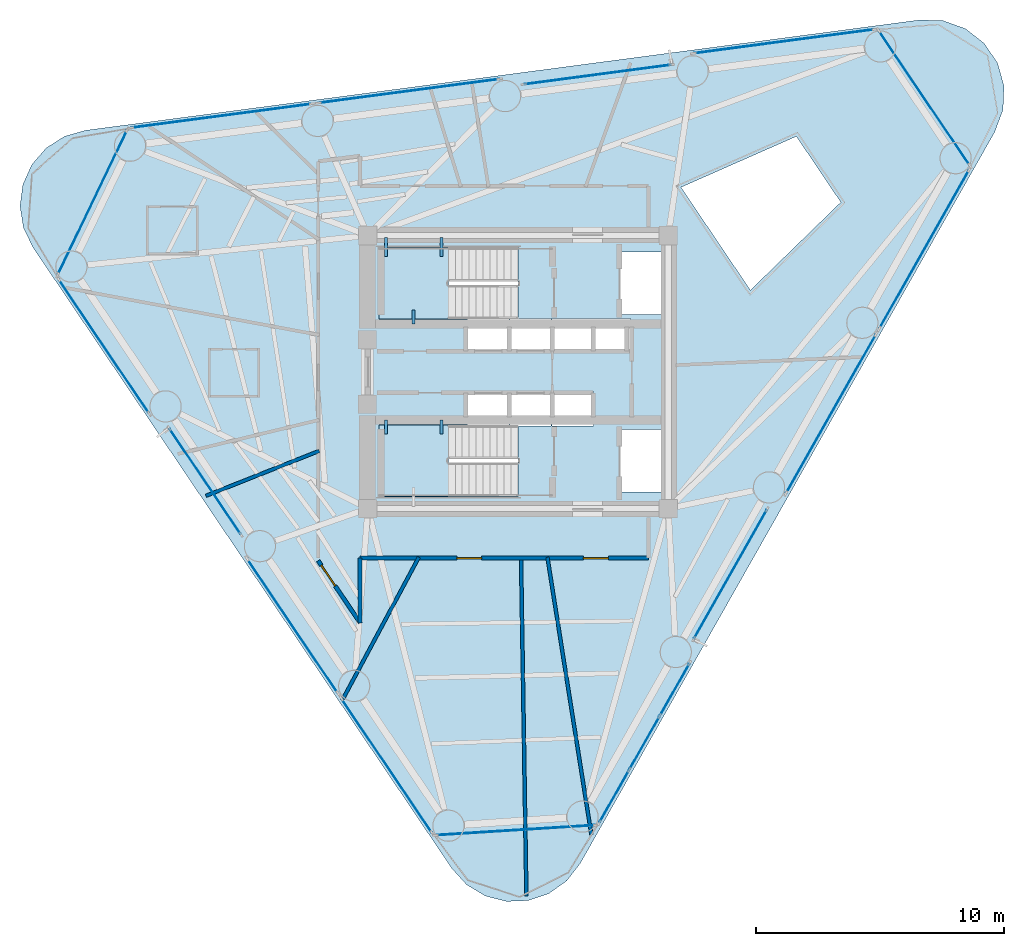
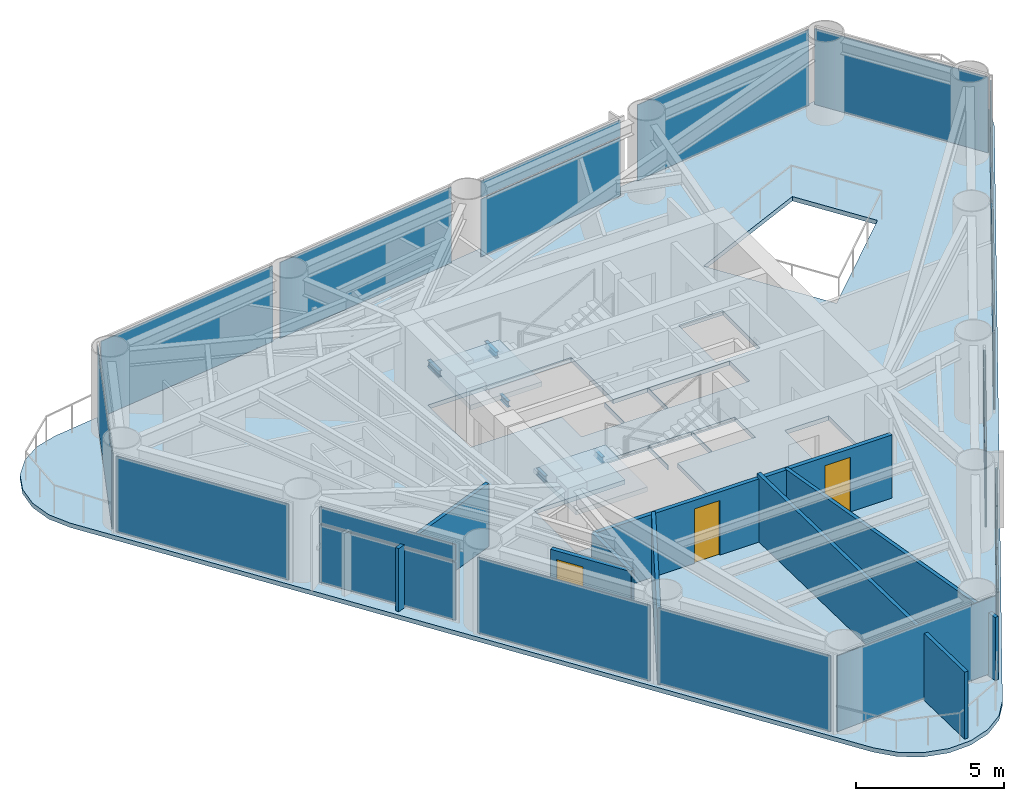
# One storey, part 4 of 9: 23 plates, 7 walls, 5 beams, 3 doors, 3 slabs, 3 openings, 17 elements without a shape of their own.
"""IFC4 building model written with IfcOpenShell, lengths in metres."""

from ifc_helpers import new_model, si_unit, direction, frame, frame_2d, origin, origin_2d, place, context, subcontext, project, spatial, polyline, rectangle, i_section, outline, extrude, source, transform, mapped, material, layer, layer_set, material_profile, profile_set, type_object, element, fill, aggregate, save


model = new_model("IFC4")

# Units and contexts
model_context = context("Model", 3, precision=1e-05, world=origin(), true_north=direction((0.0, 1.0)))
body_context = subcontext(model_context, "Body", "Model", "MODEL_VIEW")
ifc_project = project(units=[si_unit("LENGTHUNIT", "METRE"), si_unit("AREAUNIT", "SQUARE_METRE"), si_unit("VOLUMEUNIT", "CUBIC_METRE"), si_unit("PLANEANGLEUNIT", "RADIAN"), si_unit("MASSUNIT", "GRAM", prefix="KILO")], contexts=[model_context])

# Site, building, storey
site_placement = place(None, origin())
site = spatial("IfcSite", under=ifc_project, at=site_placement, CompositionType="ELEMENT")
building_placement = place(site_placement, origin())
building = spatial("IfcBuilding", under=site, at=building_placement, Name="Yunling Apex Tower", CompositionType="ELEMENT")
storey_placement = place(building_placement, frame((0.0, 0.0, 162.199951171875)))
storey = spatial("IfcBuildingStorey", under=building, at=storey_placement, Name="L39", CompositionType="ELEMENT", Elevation=162.199951171875)

# Beams
ifc_material_1 = material(Name="Steel Q355B", Category="steel")
ifc_material_profile = material_profile(ifc_material_1, i_section(OverallWidth=0.125, OverallDepth=0.25, WebThickness=0.006103515625, FlangeThickness=0.009033203125, FilletRadius=0.011962890625, at=origin_2d()))
ifc_profile_set = profile_set([ifc_material_profile], Name="Steel Q355B")
beam_type = type_object("IfcBeamType", Name="BL-LNT-1", PredefinedType="LINTEL", material=ifc_profile_set)
shared_shape_1 = source(origin(), body_context, "Body", "SweptSolid", [
    extrude(i_section(OverallWidth=0.125, OverallDepth=0.25, WebThickness=0.006103515625, FlangeThickness=0.009033203125, FilletRadius=0.011962890625, at=origin_2d()), origin(), (0.0, 0.0, 1.0), 0.760009765625),
])
for number, where, z_axis, x_axis, name in (
    (1, (-5.320068359375, 5.419921875, 1.405029296875), (0.0, -1.0, 0.0), (1.0, 0.0, 0.0), "L39 ST-1 Landing Bearing Corbel 1-1"),
    (2, (-3.090087890625, 5.419921875, 1.405029296875), (0.0, -1.0, 0.0), (1.0, 0.0, 0.0), "L39 ST-1 Landing Bearing Corbel 1-2"),
):
    element("IfcBeam", number, at=place(storey_placement, frame(where, z_axis=z_axis, x_axis=x_axis)), inside=storey, type_object=beam_type, Name=name, PredefinedType="LINTEL", context=body_context, shape_type="MappedRepresentation", body=[
        mapped(shared_shape_1, transform((0.0, 0.0, 0.0), scale=1.0)),
    ])
shared_shape_2 = source(origin(), body_context, "Body", "SweptSolid", [
    extrude(i_section(OverallWidth=0.125, OverallDepth=0.25, WebThickness=0.006103515625, FlangeThickness=0.009033203125, FilletRadius=0.011962890625, at=origin_2d()), origin(), (0.0, 0.0, 1.0), 0.550048828125),
])
for number, where, z_axis, x_axis, name in (
    (3, (-4.205078125, 1.93994140625, 1.405029296875), (0.0, 1.0, 0.0), (-1.0, 0.0, 0.0), "L39 ST-1 Landing Bearing Corbel 1-3"),
    (4, (-5.320068359375, -1.93994140625, 1.405029296875), (0.0, -1.0, 0.0), (1.0, 0.0, 0.0), "L39 ST-2 Landing Bearing Corbel 1-1"),
    (5, (-3.090087890625, -1.93994140625, 1.405029296875), (0.0, -1.0, 0.0), (1.0, 0.0, 0.0), "L39 ST-2 Landing Bearing Corbel 1-2"),
):
    element("IfcBeam", number, at=place(storey_placement, frame(where, z_axis=z_axis, x_axis=x_axis)), inside=storey, type_object=beam_type, Name=name, PredefinedType="LINTEL", context=body_context, shape_type="MappedRepresentation", body=[
        mapped(shared_shape_2, transform((0.0, 0.0, 0.0), scale=1.0)),
    ])

# Slab
ifc_material_2 = material(Name="Concrete C40", Category="concrete")
ifc_layer_1 = layer(ifc_material_2, 0.1650390625)
ifc_layer_set_1 = layer_set([ifc_layer_1], Name="Concrete C40")
slab_type_1 = type_object("IfcSlabType", Name="SL-FLR-2", PredefinedType="FLOOR", material=ifc_layer_set_1)
slab_1_placement = place(storey_placement, frame((0.0, 0.0, -0.179931640625)))
element("IfcSlab", 6, at=slab_1_placement, inside=storey, type_object=slab_type_1, Name="L39 Composite Tower Floor Slab", PredefinedType="FLOOR", context=body_context, shape_type="SweptSolid", body=[
    extrude(outline(polyline([(-2.665771484375, -20.00146484375), (-2.073486328125, -20.65185546875), (-1.31982421875, -21.10546875), (-0.468017578125, -21.32421875), (0.410888671875, -21.2900390625), (1.243408203125, -21.005615234375), (1.95947265625, -20.494873046875), (2.499267578125, -19.80029296875), (19.197998046875, 9.66650390625), (19.533203125, 10.565185546875), (19.572021484375, 11.5234375), (19.31005859375, 12.4462890625), (18.773681640625, 13.241455078125), (18.01611328125, 13.830078125), (17.113037109375, 14.1533203125), (16.154296875, 14.178955078125), (-17.422119140625, 9.734619140625), (-18.268310546875, 9.494384765625), (-19.01025390625, 9.021728515625), (-19.585693359375, 8.3564453125), (-19.947021484375, 7.554443359375), (-20.06298828125, 6.682373046875), (-19.9248046875, 5.813720703125), (-19.543701171875, 5.02099609375), (-2.665771484375, -20.00146484375)]), holes=[polyline([(11.209228515625, 9.49072265625), (12.998779296875, 6.837890625), (9.356689453125, 3.295654296875), (6.560791015625, 7.44091796875), (11.209228515625, 9.49072265625)]), polyline([(4.090087890625, -2.320068359375), (5.81005859375, -2.320068359375), (5.81005859375, -4.840087890625), (4.090087890625, -4.840087890625), (4.090087890625, -2.320068359375)]), polyline([(5.81005859375, 4.840087890625), (5.81005859375, 2.320068359375), (4.090087890625, 2.320068359375), (4.090087890625, 4.840087890625), (5.81005859375, 4.840087890625)]), polyline([(1.364990234375, 2.1650390625), (4.534912109375, 2.1650390625), (4.534912109375, 0.794921875), (1.364990234375, 0.794921875), (1.364990234375, 2.1650390625)]), polyline([(3.034912109375, -0.794921875), (3.034912109375, -2.1650390625), (1.364990234375, -2.1650390625), (1.364990234375, -0.794921875), (3.034912109375, -0.794921875)]), polyline([(-2.034912109375, -0.794921875), (-0.364990234375, -0.794921875), (-0.364990234375, -2.139892578125), (-0.3349609375, -2.139892578125), (-0.3349609375, -0.794921875), (1.3349609375, -0.794921875), (1.3349609375, -2.1650390625), (-0.010009765625, -2.1650390625), (-0.010009765625, -5.010009765625), (-5.60009765625, -5.010009765625), (-5.60009765625, -2.139892578125), (-2.034912109375, -2.139892578125), (-2.034912109375, -0.794921875)]), polyline([(-5.60009765625, 2.139892578125), (-5.60009765625, 5.010009765625), (-0.010009765625, 5.010009765625), (-0.010009765625, 2.1650390625), (1.3349609375, 2.1650390625), (1.3349609375, 0.794921875), (-0.3349609375, 0.794921875), (-0.3349609375, 2.139892578125), (-0.364990234375, 2.139892578125), (-0.364990234375, 0.794921875), (-2.034912109375, 0.794921875), (-2.034912109375, 2.139892578125), (-5.60009765625, 2.139892578125)])]), origin(), (0.0, 0.0, 1.0), 0.179931640625),
])

# Stair, slab
stair_type = type_object("IfcStairType", Name="ST-TWR-2", PredefinedType="HALF_TURN_STAIR", material=ifc_material_2)
stair_1_placement = place(storey_placement, origin())
stair_1 = element("IfcStair", 7, at=stair_1_placement, inside=storey, type_object=stair_type, Name="L39 North Core Smokeproof Exit Stair ST-1", PredefinedType="HALF_TURN_STAIR")
ifc_layer_2 = layer(ifc_material_2, 0.195068359375)
ifc_layer_set_2 = layer_set([ifc_layer_2], Name="Concrete C40")
slab_type_2 = type_object("IfcSlabType", Name="SL-LND-1", PredefinedType="LANDING", material=ifc_layer_set_2)
slab_2_placement = place(storey_placement, frame((0.0, 0.0, 1.530029296875)))
slab_2 = element("IfcSlab", 8, at=slab_2_placement, type_object=slab_type_2, Name="ST-1 landing 1", PredefinedType="LANDING", context=body_context, shape_type="SweptSolid", body=[
    extrude(outline(polyline([(-2.81005859375, 5.010009765625), (-5.60009765625, 5.010009765625), (-5.60009765625, 2.139892578125), (-2.81005859375, 2.139892578125), (-2.81005859375, 5.010009765625)])), origin(), (0.0, 0.0, 1.0), 0.195068359375),
])
aggregate(stair_1, [slab_2])

stair_2_placement = place(storey_placement, origin())
stair_2 = element("IfcStair", 9, at=stair_2_placement, inside=storey, type_object=stair_type, Name="L39 South Core Smokeproof Exit Stair ST-2", PredefinedType="HALF_TURN_STAIR")
slab_3_placement = place(storey_placement, frame((0.0, 0.0, 1.530029296875)))
slab_3 = element("IfcSlab", 10, at=slab_3_placement, type_object=slab_type_2, Name="ST-2 landing 1", PredefinedType="LANDING", context=body_context, shape_type="SweptSolid", body=[
    extrude(outline(polyline([(-2.81005859375, -2.139892578125), (-5.60009765625, -2.139892578125), (-5.60009765625, -5.010009765625), (-2.81005859375, -5.010009765625), (-2.81005859375, -2.139892578125)])), origin(), (0.0, 0.0, 1.0), 0.195068359375),
])
aggregate(stair_2, [slab_3])

# Curtain wall, plates
ifc_material_3 = material(Name="Bronze anodised aluminium", Category="aluminium")
ifc_layer_3 = layer(ifc_material_3, 0.239990234375)
ifc_layer_set_3 = layer_set([ifc_layer_3], Name="Bronze anodised aluminium")
curtain_wall_type = type_object("IfcCurtainWallType", Name="CW-SYS-3", PredefinedType="NOTDEFINED", material=ifc_layer_set_3)
curtain_wall_1_placement = place(storey_placement, origin())
curtain_wall_1 = element("IfcCurtainWall", 11, at=curtain_wall_1_placement, inside=storey, type_object=curtain_wall_type, Name="CW-L39-F1-B1", PredefinedType="NOTDEFINED")
ifc_material_4 = material(Name="Bronze tinted low-E glass", Category="glass")
ifc_layer_4 = layer(ifc_material_4, 0.031982421875)
ifc_layer_set_4 = layer_set([ifc_layer_4], Name="Bronze tinted low-E glass")
plate_type = type_object("IfcPlateType", Name="CW-PNL-3", PredefinedType="CURTAIN_PANEL", material=ifc_layer_set_4)
shared_shape_3 = source(origin(), body_context, "Body", "SweptSolid", [
    extrude(rectangle(XDim=2.3828125, YDim=0.031982421875, at=origin_2d()), origin(), (0.0, 0.0, 1.0), 2.381103515625),
])
plate_1_placement = place(storey_placement, frame((3.874755859375, -17.089111328125, 0.072265625), z_axis=(0.0, 0.0, 1.0), x_axis=(0.493040979859, 0.870006087438, 0.0)))
plate_1 = element("IfcPlate", 12, at=plate_1_placement, type_object=plate_type, Name="CW-SYS-3 panel 1.1", PredefinedType="CURTAIN_PANEL", context=body_context, shape_type="MappedRepresentation", body=[
    mapped(shared_shape_3, transform((0.0, 0.0, 0.0), scale=1.0)),
])
plate_2_placement = place(storey_placement, frame((6.307373046875, -12.796875, 0.072265625), z_axis=(0.0, 0.0, 1.0), x_axis=(0.493040979859, 0.870006087438, 0.0)))
plate_2 = element("IfcPlate", 13, at=plate_2_placement, type_object=plate_type, Name="CW-SYS-3 panel 3.1", PredefinedType="CURTAIN_PANEL", context=body_context, shape_type="MappedRepresentation", body=[
    mapped(shared_shape_3, transform((0.0, 0.0, 0.0), scale=1.0)),
])
shared_shape_4 = source(origin(), body_context, "Body", "SweptSolid", [
    extrude(rectangle(XDim=2.3828125, YDim=0.031982421875, at=origin_2d()), origin(), (0.0, 0.0, 1.0), 0.680908203125),
])
plate_3_placement = place(storey_placement, frame((3.874755859375, -17.089111328125, 2.51708984375), z_axis=(0.0, 0.0, 1.0), x_axis=(0.493040979859, 0.870006087438, 0.0)))
plate_3 = element("IfcPlate", 14, at=plate_3_placement, type_object=plate_type, Name="CW-SYS-3 panel 1.2", PredefinedType="CURTAIN_PANEL", context=body_context, shape_type="MappedRepresentation", body=[
    mapped(shared_shape_4, transform((0.0, 0.0, 0.0), scale=1.0)),
])
plate_4_placement = place(storey_placement, frame((6.307373046875, -12.796875, 2.51708984375), z_axis=(0.0, 0.0, 1.0), x_axis=(0.493040979859, 0.870006087438, 0.0)))
plate_4 = element("IfcPlate", 15, at=plate_4_placement, type_object=plate_type, Name="CW-SYS-3 panel 3.2", PredefinedType="CURTAIN_PANEL", context=body_context, shape_type="MappedRepresentation", body=[
    mapped(shared_shape_4, transform((0.0, 0.0, 0.0), scale=1.0)),
])
shared_shape_5 = source(origin(), body_context, "Body", "SweptSolid", [
    extrude(rectangle(XDim=2.4228515625, YDim=0.031982421875, at=origin_2d()), origin(), (0.0, 0.0, 1.0), 2.381103515625),
])
plate_5_placement = place(storey_placement, frame((5.091064453125, -14.943115234375, 0.072265625), z_axis=(0.0, 0.0, 1.0), x_axis=(0.493040979859, 0.870006087438, 0.0)))
plate_5 = element("IfcPlate", 16, at=plate_5_placement, type_object=plate_type, Name="CW-SYS-3 panel 2.1", PredefinedType="CURTAIN_PANEL", context=body_context, shape_type="MappedRepresentation", body=[
    mapped(shared_shape_5, transform((0.0, 0.0, 0.0), scale=1.0)),
])
shared_shape_6 = source(origin(), body_context, "Body", "SweptSolid", [
    extrude(rectangle(XDim=2.4228515625, YDim=0.031982421875, at=origin_2d()), origin(), (0.0, 0.0, 1.0), 0.680908203125),
])
plate_6_placement = place(storey_placement, frame((5.091064453125, -14.943115234375, 2.51708984375), z_axis=(0.0, 0.0, 1.0), x_axis=(0.493040979859, 0.870006087438, 0.0)))
plate_6 = element("IfcPlate", 17, at=plate_6_placement, type_object=plate_type, Name="CW-SYS-3 panel 2.2", PredefinedType="CURTAIN_PANEL", context=body_context, shape_type="MappedRepresentation", body=[
    mapped(shared_shape_6, transform((0.0, 0.0, 0.0), scale=1.0)),
])
aggregate(curtain_wall_1, [plate_1, plate_3, plate_5, plate_6, plate_2, plate_4])

# Curtain wall, plate
curtain_wall_2_placement = place(storey_placement, origin())
curtain_wall_2 = element("IfcCurtainWall", 18, at=curtain_wall_2_placement, inside=storey, type_object=curtain_wall_type, Name="CW-L39-F1-B2", PredefinedType="NOTDEFINED")
shared_shape_7 = source(origin(), body_context, "Body", "SweptSolid", [
    extrude(rectangle(XDim=5.9365234375, YDim=0.031982421875, at=origin_2d()), origin(), (0.0, 0.0, 1.0), 2.381103515625),
])
plate_7_placement = place(storey_placement, frame((8.552490234375, -8.145263671875, 0.072265625), z_axis=(0.0, 0.0, 1.0), x_axis=(0.493047012471, 0.87000266867, 0.0)))
plate_7 = element("IfcPlate", 19, at=plate_7_placement, type_object=plate_type, Name="CW-SYS-3 panel 1.1", PredefinedType="CURTAIN_PANEL", context=body_context, shape_type="MappedRepresentation", body=[
    mapped(shared_shape_7, transform((0.0, 0.0, 0.0), scale=1.0)),
])

curtain_wall_3_placement = place(storey_placement, origin())
curtain_wall_3 = element("IfcCurtainWall", 20, at=curtain_wall_3_placement, inside=storey, type_object=curtain_wall_type, Name="CW-L39-F2-B2", PredefinedType="NOTDEFINED")
plate_8_placement = place(storey_placement, frame((3.206298828125, 11.98095703125, 0.072265625), z_axis=(0.0, 0.0, 1.0), x_axis=(-0.99135526932, -0.131204916036, 0.0)))
plate_8 = element("IfcPlate", 21, at=plate_8_placement, type_object=plate_type, Name="CW-SYS-3 panel 1.1", PredefinedType="CURTAIN_PANEL", context=body_context, shape_type="MappedRepresentation", body=[
    mapped(shared_shape_7, transform((0.0, 0.0, 0.0), scale=1.0)),
])

# Plate
shared_shape_8 = source(origin(), body_context, "Body", "SweptSolid", [
    extrude(rectangle(XDim=5.9365234375, YDim=0.031982421875, at=origin_2d()), origin(), (0.0, 0.0, 1.0), 0.680908203125),
])
plate_9_placement = place(storey_placement, frame((8.552490234375, -8.145263671875, 2.51708984375), z_axis=(0.0, 0.0, 1.0), x_axis=(0.493047012471, 0.87000266867, 0.0)))
plate_9 = element("IfcPlate", 22, at=plate_9_placement, type_object=plate_type, Name="CW-SYS-3 panel 1.2", PredefinedType="CURTAIN_PANEL", context=body_context, shape_type="MappedRepresentation", body=[
    mapped(shared_shape_8, transform((0.0, 0.0, 0.0), scale=1.0)),
])

aggregate(curtain_wall_2, [plate_7, plate_9])

plate_10_placement = place(storey_placement, frame((3.206298828125, 11.98095703125, 2.51708984375), z_axis=(0.0, 0.0, 1.0), x_axis=(-0.99135526932, -0.131204916036, 0.0)))
plate_10 = element("IfcPlate", 23, at=plate_10_placement, type_object=plate_type, Name="CW-SYS-3 panel 1.2", PredefinedType="CURTAIN_PANEL", context=body_context, shape_type="MappedRepresentation", body=[
    mapped(shared_shape_8, transform((0.0, 0.0, 0.0), scale=1.0)),
])

aggregate(curtain_wall_3, [plate_8, plate_10])

# Curtain wall, plate
curtain_wall_4_placement = place(storey_placement, origin())
curtain_wall_4 = element("IfcCurtainWall", 24, at=curtain_wall_4_placement, inside=storey, type_object=curtain_wall_type, Name="CW-L39-F1-B3", PredefinedType="NOTDEFINED")
shared_shape_9 = source(origin(), body_context, "Body", "SweptSolid", [
    extrude(rectangle(XDim=7.316650390625, YDim=0.031982421875, at=origin_2d()), origin(), (0.0, 0.0, 1.0), 3.1259765625),
])
plate_11_placement = place(storey_placement, frame((12.60546875, -1.682861328125, 0.072021484375), z_axis=(0.0, 0.0, 1.0), x_axis=(0.493035230416, 0.870009345679, 0.0)))
plate_11 = element("IfcPlate", 25, at=plate_11_placement, type_object=plate_type, Name="CW-SYS-3 panel 1.1", PredefinedType="CURTAIN_PANEL", context=body_context, shape_type="MappedRepresentation", body=[
    mapped(shared_shape_9, transform((0.0, 0.0, 0.0), scale=1.0)),
])
aggregate(curtain_wall_4, [plate_11])

curtain_wall_5_placement = place(storey_placement, origin())
curtain_wall_5 = element("IfcCurtainWall", 26, at=curtain_wall_5_placement, inside=storey, type_object=curtain_wall_type, Name="CW-L39-F1-B4", PredefinedType="NOTDEFINED")
plate_12_placement = place(storey_placement, frame((16.362548828125, 4.947021484375, 0.072021484375), z_axis=(0.0, 0.0, 1.0), x_axis=(0.493040979859, 0.870006087438, 0.0)))
plate_12 = element("IfcPlate", 27, at=plate_12_placement, type_object=plate_type, Name="CW-SYS-3 panel 1.1", PredefinedType="CURTAIN_PANEL", context=body_context, shape_type="MappedRepresentation", body=[
    mapped(shared_shape_9, transform((0.0, 0.0, 0.0), scale=1.0)),
])
aggregate(curtain_wall_5, [plate_12])

curtain_wall_6_placement = place(storey_placement, origin())
curtain_wall_6 = element("IfcCurtainWall", 28, at=curtain_wall_6_placement, inside=storey, type_object=curtain_wall_type, Name="CW-L39-F2-B1", PredefinedType="NOTDEFINED")
plate_13_placement = place(storey_placement, frame((10.716552734375, 13.31787109375, 0.072021484375), z_axis=(0.0, 0.0, 1.0), x_axis=(-0.991352945496, -0.131222473138, 0.0)))
plate_13 = element("IfcPlate", 29, at=plate_13_placement, type_object=plate_type, Name="CW-SYS-3 panel 1.1", PredefinedType="CURTAIN_PANEL", context=body_context, shape_type="MappedRepresentation", body=[
    mapped(shared_shape_9, transform((0.0, 0.0, 0.0), scale=1.0)),
])
aggregate(curtain_wall_6, [plate_13])

curtain_wall_7_placement = place(storey_placement, origin())
curtain_wall_7 = element("IfcCurtainWall", 30, at=curtain_wall_7_placement, inside=storey, type_object=curtain_wall_type, Name="CW-L39-F2-B3", PredefinedType="NOTDEFINED")
plate_14_placement = place(storey_placement, frame((-4.39306640625, 11.318115234375, 0.072021484375), z_axis=(0.0, 0.0, 1.0), x_axis=(-0.991354689071, -0.13120930019, 0.0)))
plate_14 = element("IfcPlate", 31, at=plate_14_placement, type_object=plate_type, Name="CW-SYS-3 panel 1.1", PredefinedType="CURTAIN_PANEL", context=body_context, shape_type="MappedRepresentation", body=[
    mapped(shared_shape_9, transform((0.0, 0.0, 0.0), scale=1.0)),
])
aggregate(curtain_wall_7, [plate_14])

curtain_wall_8_placement = place(storey_placement, origin())
curtain_wall_8 = element("IfcCurtainWall", 32, at=curtain_wall_8_placement, inside=storey, type_object=curtain_wall_type, Name="CW-L39-F2-B4", PredefinedType="NOTDEFINED")
plate_15_placement = place(storey_placement, frame((-11.94775390625, 10.318115234375, 0.072021484375), z_axis=(0.0, 0.0, 1.0), x_axis=(-0.991352945496, -0.131222473138, 0.0)))
plate_15 = element("IfcPlate", 33, at=plate_15_placement, type_object=plate_type, Name="CW-SYS-3 panel 1.1", PredefinedType="CURTAIN_PANEL", context=body_context, shape_type="MappedRepresentation", body=[
    mapped(shared_shape_9, transform((0.0, 0.0, 0.0), scale=1.0)),
])
aggregate(curtain_wall_8, [plate_15])

curtain_wall_9_placement = place(storey_placement, origin())
curtain_wall_9 = element("IfcCurtainWall", 34, at=curtain_wall_9_placement, inside=storey, type_object=curtain_wall_type, Name="CW-L39-CRN1", PredefinedType="NOTDEFINED")
shared_shape_10 = source(origin(), body_context, "Body", "SweptSolid", [
    extrude(rectangle(XDim=6.521728515625, YDim=0.031982421875, at=origin_2d()), origin(), (0.0, 0.0, 1.0), 3.1259765625),
])
plate_16_placement = place(storey_placement, frame((16.360107421875, 11.03515625, 0.072021484375), z_axis=(0.0, 0.0, 1.0), x_axis=(-0.559192747259, 0.829037677921, 0.0)))
plate_16 = element("IfcPlate", 35, at=plate_16_placement, type_object=plate_type, Name="CW-SYS-3 panel 1.1", PredefinedType="CURTAIN_PANEL", context=body_context, shape_type="MappedRepresentation", body=[
    mapped(shared_shape_10, transform((0.0, 0.0, 0.0), scale=1.0)),
])
aggregate(curtain_wall_9, [plate_16])

curtain_wall_10_placement = place(storey_placement, origin())
curtain_wall_10 = element("IfcCurtainWall", 36, at=curtain_wall_10_placement, inside=storey, type_object=curtain_wall_type, Name="CW-L39-CRN2", PredefinedType="NOTDEFINED")
shared_shape_11 = source(origin(), body_context, "Body", "SweptSolid", [
    extrude(rectangle(XDim=6.441162109375, YDim=0.031982421875, at=origin_2d()), origin(), (0.0, 0.0, 1.0), 3.1259765625),
])
plate_17_placement = place(storey_placement, frame((-17.144775390625, 6.828857421875, 0.072021484375), z_axis=(0.0, 0.0, 1.0), x_axis=(-0.431993843071, -0.901876554496, 0.0)))
plate_17 = element("IfcPlate", 37, at=plate_17_placement, type_object=plate_type, Name="CW-SYS-3 panel 1.1", PredefinedType="CURTAIN_PANEL", context=body_context, shape_type="MappedRepresentation", body=[
    mapped(shared_shape_11, transform((0.0, 0.0, 0.0), scale=1.0)),
])
aggregate(curtain_wall_10, [plate_17])

curtain_wall_11_placement = place(storey_placement, origin())
curtain_wall_11 = element("IfcCurtainWall", 38, at=curtain_wall_11_placement, inside=storey, type_object=curtain_wall_type, Name="CW-L39-CRN3", PredefinedType="NOTDEFINED")
plate_18_placement = place(storey_placement, frame((-0.091064453125, -18.454345703125, 0.072021484375), z_axis=(0.0, 0.0, 1.0), x_axis=(0.998034158431, 0.062672311308, 0.0)))
plate_18 = element("IfcPlate", 39, at=plate_18_placement, type_object=plate_type, Name="CW-SYS-3 panel 1.1", PredefinedType="CURTAIN_PANEL", context=body_context, shape_type="MappedRepresentation", body=[
    mapped(shared_shape_11, transform((0.0, 0.0, 0.0), scale=1.0)),
])
aggregate(curtain_wall_11, [plate_18])

curtain_wall_12_placement = place(storey_placement, origin())
curtain_wall_12 = element("IfcCurtainWall", 40, at=curtain_wall_12_placement, inside=storey, type_object=curtain_wall_type, Name="CW-L39-F3-B1", PredefinedType="NOTDEFINED")
shared_shape_12 = source(origin(), body_context, "Body", "SweptSolid", [
    extrude(rectangle(XDim=6.487060546875, YDim=0.031982421875, at=origin_2d()), origin(), (0.0, 0.0, 1.0), 3.1259765625),
])
plate_19_placement = place(storey_placement, frame((-16.684814453125, 1.033203125, 0.072021484375), z_axis=(0.0, 0.0, 1.0), x_axis=(0.559181442901, -0.829045302692, 0.0)))
plate_19 = element("IfcPlate", 41, at=plate_19_placement, type_object=plate_type, Name="CW-SYS-3 panel 1.1", PredefinedType="CURTAIN_PANEL", context=body_context, shape_type="MappedRepresentation", body=[
    mapped(shared_shape_12, transform((0.0, 0.0, 0.0), scale=1.0)),
])
aggregate(curtain_wall_12, [plate_19])

curtain_wall_13_placement = place(storey_placement, origin())
curtain_wall_13 = element("IfcCurtainWall", 42, at=curtain_wall_13_placement, inside=storey, type_object=curtain_wall_type, Name="CW-L39-F3-B3", PredefinedType="NOTDEFINED")
plate_20_placement = place(storey_placement, frame((-9.08984375, -10.226806640625, 0.072021484375), z_axis=(0.0, 0.0, 1.0), x_axis=(0.559188434042, -0.829040587205, 0.0)))
plate_20 = element("IfcPlate", 43, at=plate_20_placement, type_object=plate_type, Name="CW-SYS-3 panel 1.1", PredefinedType="CURTAIN_PANEL", context=body_context, shape_type="MappedRepresentation", body=[
    mapped(shared_shape_12, transform((0.0, 0.0, 0.0), scale=1.0)),
])
aggregate(curtain_wall_13, [plate_20])

curtain_wall_14_placement = place(storey_placement, origin())
curtain_wall_14 = element("IfcCurtainWall", 44, at=curtain_wall_14_placement, inside=storey, type_object=curtain_wall_type, Name="CW-L39-F3-B4", PredefinedType="NOTDEFINED")
plate_21_placement = place(storey_placement, frame((-5.29248046875, -15.85693359375, 0.072021484375), z_axis=(0.0, 0.0, 1.0), x_axis=(0.559181442901, -0.829045302692, 0.0)))
plate_21 = element("IfcPlate", 45, at=plate_21_placement, type_object=plate_type, Name="CW-SYS-3 panel 1.1", PredefinedType="CURTAIN_PANEL", context=body_context, shape_type="MappedRepresentation", body=[
    mapped(shared_shape_12, transform((0.0, 0.0, 0.0), scale=1.0)),
])
aggregate(curtain_wall_14, [plate_21])

# Curtain wall, plates
curtain_wall_15_placement = place(storey_placement, origin())
curtain_wall_15 = element("IfcCurtainWall", 46, at=curtain_wall_15_placement, inside=storey, type_object=curtain_wall_type, Name="CW-L39-F3-B2", PredefinedType="NOTDEFINED")
shared_shape_13 = source(origin(), body_context, "Body", "SweptSolid", [
    extrude(rectangle(XDim=5.10693359375, YDim=0.031982421875, at=origin_2d()), origin(), (0.0, 0.0, 1.0), 2.381103515625),
])
plate_22_placement = place(storey_placement, frame((-12.60546875, -4.40673828125, 0.072265625), z_axis=(0.0, 0.0, 1.0), x_axis=(0.559209856873, -0.829026137089, 0.0)))
plate_22 = element("IfcPlate", 47, at=plate_22_placement, type_object=plate_type, Name="CW-SYS-3 panel 1.1", PredefinedType="CURTAIN_PANEL", context=body_context, shape_type="MappedRepresentation", body=[
    mapped(shared_shape_13, transform((0.0, 0.0, 0.0), scale=1.0)),
])
shared_shape_14 = source(origin(), body_context, "Body", "SweptSolid", [
    extrude(rectangle(XDim=5.10693359375, YDim=0.031982421875, at=origin_2d()), origin(), (0.0, 0.0, 1.0), 0.680908203125),
])
plate_23_placement = place(storey_placement, frame((-12.60546875, -4.40673828125, 2.51708984375), z_axis=(0.0, 0.0, 1.0), x_axis=(0.559209856873, -0.829026137089, 0.0)))
plate_23 = element("IfcPlate", 48, at=plate_23_placement, type_object=plate_type, Name="CW-SYS-3 panel 1.2", PredefinedType="CURTAIN_PANEL", context=body_context, shape_type="MappedRepresentation", body=[
    mapped(shared_shape_14, transform((0.0, 0.0, 0.0), scale=1.0)),
])
aggregate(curtain_wall_15, [plate_22, plate_23])

# Wall, opening, door
ifc_material_5 = material(Name="Gypsum board acoustic partition")
ifc_layer_5 = layer(ifc_material_5, 0.159912109375)
ifc_layer_set_5 = layer_set([ifc_layer_5], Name="Gypsum board acoustic partition")
wall_type_1 = type_object("IfcWallType", Name="WL-PRT-1", PredefinedType="PARTITIONING", material=ifc_layer_set_5)
wall_1_placement = place(storey_placement, frame((-6.360107421875, -10.107421875, 0.0), z_axis=(0.0, 0.0, 1.0), x_axis=(-0.559166202639, 0.829055581868, 0.0)))
wall_1 = element("IfcWall", 49, at=wall_1_placement, inside=storey, type_object=wall_type_1, Name="WL-CORR-L39-01", PredefinedType="PARTITIONING", context=body_context, shape_type="SweptSolid", body=[
    extrude(rectangle(XDim=3.022216796875, YDim=0.159912109375, at=frame_2d((1.51123046875, 0.0))), origin(), (0.0, 0.0, 1.0), 2.60498046875),
])
opening_1_placement = place(wall_1_placement, frame((1.80224609375, 0.0, 0.0)))
opening_1 = element("IfcOpeningElement", 50, at=opening_1_placement, cuts=wall_1, Name="Opening DR-OFF-1", PredefinedType="OPENING", context=body_context, shape_type="SweptSolid", body=[
    extrude(rectangle(XDim=1.0, YDim=2.25, at=frame_2d((0.5, 1.125))), frame((0.0, 0.08984375, 0.0), z_axis=(0.0, -1.0, 0.0), x_axis=(1.0, 0.0, 0.0)), (0.0, 0.0, 1.0), 0.179931640625),
])
door_type = type_object("IfcDoorType", Name="DR-OFF-1", OperationType="NOTDEFINED", PredefinedType="DOOR", material=ifc_material_3)
door_1_placement = place(opening_1_placement, origin())
door_1 = element("IfcDoor", 51, at=door_1_placement, inside=storey, type_object=door_type, Name="L39 Guest Wellness Club Door", OperationType="SINGLE_SWING_LEFT", OverallHeight=2.25, OverallWidth=1.0, PredefinedType="DOOR", context=body_context, shape_type="SweptSolid", body=[
    extrude(rectangle(XDim=1.0, YDim=2.25, at=frame_2d((0.5, 1.125))), frame((0.0, 0.02490234375, 0.0), z_axis=(0.0, -1.0, 0.0), x_axis=(1.0, 0.0, 0.0)), (0.0, 0.0, 1.0), 0.050048828125),
])
fill(opening_1, door_1)

# Wall, openings, doors
wall_2_placement = place(storey_placement, frame((5.25, -7.5, 0.0), z_axis=(0.0, 0.0, 1.0), x_axis=(-1.0, 0.0, 0.0)))
wall_2 = element("IfcWall", 52, at=wall_2_placement, inside=storey, type_object=wall_type_1, Name="WL-CORR-L39-09", PredefinedType="PARTITIONING", context=body_context, shape_type="SweptSolid", body=[
    extrude(rectangle(XDim=11.610107421875, YDim=0.159912109375, at=frame_2d((5.80517578125, 0.0))), origin(), (0.0, 0.0, 1.0), 2.60498046875),
])
opening_2_placement = place(wall_2_placement, frame((1.6181640625, 0.0, 0.0)))
opening_2 = element("IfcOpeningElement", 53, at=opening_2_placement, cuts=wall_2, Name="Opening DR-OFF-1", PredefinedType="OPENING", context=body_context, shape_type="SweptSolid", body=[
    extrude(rectangle(XDim=1.0, YDim=2.25, at=frame_2d((0.5, 1.125))), frame((0.0, 0.08984375, 0.0), z_axis=(0.0, -1.0, 0.0), x_axis=(1.0, 0.0, 0.0)), (0.0, 0.0, 1.0), 0.179931640625),
])
opening_3_placement = place(wall_2_placement, frame((6.718505859375, 0.0, 0.0)))
opening_3 = element("IfcOpeningElement", 54, at=opening_3_placement, cuts=wall_2, Name="Opening DR-OFF-1", PredefinedType="OPENING", context=body_context, shape_type="SweptSolid", body=[
    extrude(rectangle(XDim=1.0, YDim=2.25, at=frame_2d((0.5, 1.125))), frame((0.0, 0.08984375, 0.0), z_axis=(0.0, -1.0, 0.0), x_axis=(1.0, 0.0, 0.0)), (0.0, 0.0, 1.0), 0.179931640625),
])
door_2_placement = place(opening_2_placement, origin())
door_2 = element("IfcDoor", 55, at=door_2_placement, inside=storey, type_object=door_type, Name="L39 Club Lounge Door", OperationType="SINGLE_SWING_RIGHT", OverallHeight=2.25, OverallWidth=1.0, PredefinedType="DOOR", context=body_context, shape_type="SweptSolid", body=[
    extrude(rectangle(XDim=1.0, YDim=2.25, at=frame_2d((0.5, 1.125))), frame((0.0, 0.02490234375, 0.0), z_axis=(0.0, -1.0, 0.0), x_axis=(1.0, 0.0, 0.0)), (0.0, 0.0, 1.0), 0.050048828125),
])
fill(opening_2, door_2)
door_3_placement = place(opening_3_placement, origin())
door_3 = element("IfcDoor", 56, at=door_3_placement, inside=storey, type_object=door_type, Name="L39 Luggage Archive Store Door", OperationType="SINGLE_SWING_LEFT", OverallHeight=2.25, OverallWidth=1.0, PredefinedType="DOOR", context=body_context, shape_type="SweptSolid", body=[
    extrude(rectangle(XDim=1.0, YDim=2.25, at=frame_2d((0.5, 1.125))), frame((0.0, 0.02490234375, 0.0), z_axis=(0.0, -1.0, 0.0), x_axis=(1.0, 0.0, 0.0)), (0.0, 0.0, 1.0), 0.050048828125),
])
fill(opening_3, door_3)

# Walls
wall_3_placement = place(storey_placement, frame((-6.360107421875, -7.5, 0.0), z_axis=(0.0, 0.0, 1.0), x_axis=(0.0, -1.0, 0.0)))
element("IfcWall", 57, at=wall_3_placement, inside=storey, type_object=wall_type_1, Name="WL-CORR-L39-10", PredefinedType="PARTITIONING", context=body_context, shape_type="SweptSolid", body=[
    extrude(rectangle(XDim=2.607421875, YDim=0.159912109375, at=frame_2d((1.3037109375, 0.0))), origin(), (0.0, 0.0, 1.0), 2.60498046875),
])
ifc_layer_6 = layer(ifc_material_5, 0.139892578125)
ifc_layer_set_6 = layer_set([ifc_layer_6], Name="Gypsum board acoustic partition")
wall_type_2 = type_object("IfcWallType", Name="WL-PRT-2", PredefinedType="PARTITIONING", material=ifc_layer_set_6)
wall_4_placement = place(storey_placement, frame((-8.010009765625, -3.17724609375, 0.0), z_axis=(0.0, 0.0, 1.0), x_axis=(-0.929545887112, -0.368706446586, 0.0)))
element("IfcWall", 58, at=wall_4_placement, inside=storey, type_object=wall_type_2, Name="WL-RAD-L39-09", PredefinedType="PARTITIONING", context=body_context, shape_type="SweptSolid", body=[
    extrude(rectangle(XDim=4.9111328125, YDim=0.139892578125, at=frame_2d((2.45556640625, 0.0))), origin(), (0.0, 0.0, 1.0), 2.60498046875),
])
wall_5_placement = place(storey_placement, frame((-3.9970703125, -7.4599609375, 0.0), z_axis=(0.0, 0.0, 1.0), x_axis=(-0.472255924341, -0.881461480681, 0.0)))
element("IfcWall", 59, at=wall_5_placement, inside=storey, type_object=wall_type_2, Name="WL-RAD-L39-10", PredefinedType="PARTITIONING", context=body_context, shape_type="SweptSolid", body=[
    extrude(rectangle(XDim=6.47802734375, YDim=0.139892578125, at=frame_2d((3.239013671875, 0.0))), origin(), (0.0, 0.0, 1.0), 2.60498046875),
])
wall_6_placement = place(storey_placement, frame((0.118408203125, -7.4599609375, 0.0), z_axis=(0.0, 0.0, 1.0), x_axis=(0.015859383496, -0.999874232069, 0.0)))
element("IfcWall", 60, at=wall_6_placement, inside=storey, type_object=wall_type_2, Name="WL-RAD-L39-11", PredefinedType="PARTITIONING", context=body_context, shape_type="SweptSolid", body=[
    extrude(rectangle(XDim=13.654541015625, YDim=0.139892578125, at=frame_2d((6.8271484375, 0.0))), origin(), (0.0, 0.0, 1.0), 2.76513671875),
])
wall_7_placement = place(storey_placement, frame((1.181396484375, -7.4599609375, 0.0), z_axis=(0.0, 0.0, 1.0), x_axis=(0.156458885844, -0.98768447241, 0.0)))
element("IfcWall", 61, at=wall_7_placement, inside=storey, type_object=wall_type_2, Name="WL-RAD-L39-12", PredefinedType="PARTITIONING", context=body_context, shape_type="SweptSolid", body=[
    extrude(rectangle(XDim=11.316162109375, YDim=0.139892578125, at=frame_2d((5.658203125, 0.0))), origin(), (0.0, 0.0, 1.0), 2.60498046875),
])

save(model, "model.ifc")
